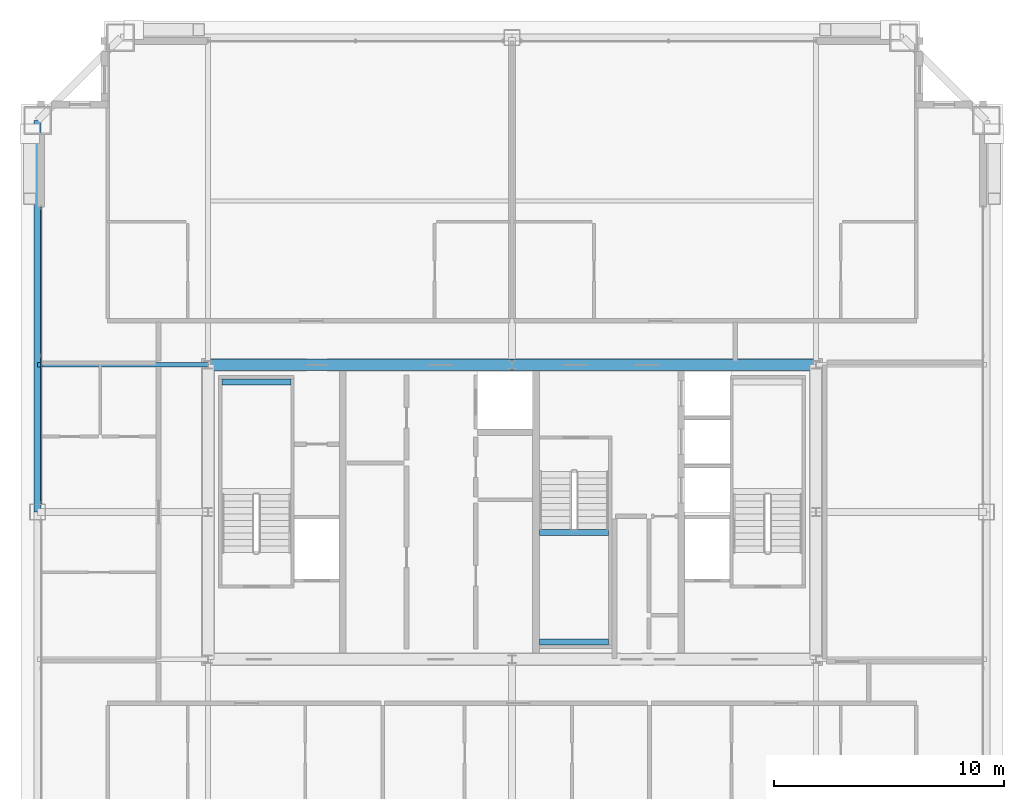
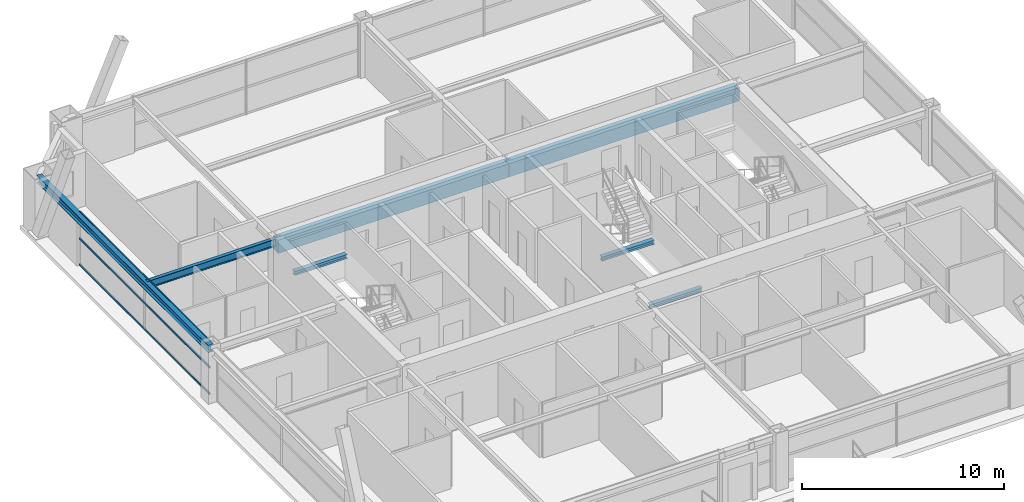
# One storey, part 13 of 35: 7 beams, 3 members, 1 element without a shape of its own.
"""IFC4 building model written with IfcOpenShell, lengths in metres."""

import ifcopenshell
import ifcopenshell.guid

model = None  # the IFC model being written
_history = None  # IfcOwnerHistory: only IFC2X3 demands one
_inside = {}  # id of a spatial element -> (the spatial element, [elements in it])
_under = {}  # id of a project, library or spatial element -> (it, [spatial elements below it])
_declared = {}  # id of a project -> (the project, [libraries it declares])
_typed = {}  # id of a type object -> (the type object, [elements of that type])
_made_of = {}  # id of a material, layer set ... -> (it, [elements and type objects made of it])


def new_model(schema):
    """Start an empty IFC model of exactly this schema.

    Asked for "IFC4X3", IfcOpenShell would pick the latest addendum, in which some entities
    have other attributes; the version numbers below select the first issue.
    IFC2X3 requires an IfcOwnerHistory on every rooted entity: one is made here for all.
    """
    global model, _history
    if schema == "IFC4X3":
        model = ifcopenshell.file(schema_version=(4, 3, 0, 0))
    else:
        model = ifcopenshell.file(schema=schema)
    _inside.clear()
    _under.clear()
    _declared.clear()
    _typed.clear()
    _made_of.clear()
    _history = None
    if model.schema == "IFC2X3":
        org = make("IfcOrganization", Name="unknown")
        user = make(
            "IfcPersonAndOrganization",
            ThePerson=make("IfcPerson", FamilyName="unknown"),
            TheOrganization=org,
        )
        app = make(
            "IfcApplication",
            ApplicationDeveloper=org,
            Version="unknown",
            ApplicationFullName="unknown",
            ApplicationIdentifier="unknown",
        )
        _history = make(
            "IfcOwnerHistory",
            OwningUser=user,
            OwningApplication=app,
            ChangeAction="ADDED",
            CreationDate=0,
        )
    return model


def make(cls, **values):
    """One entity of the class cls with the attributes given. An attribute that is None is left unset."""
    return model.create_entity(
        cls, **{name: value for name, value in values.items() if value is not None}
    )


def rooted(cls, **values):
    """An entity with a GlobalId (a new one), such as an element, a storey or a relation."""
    return make(cls, GlobalId=ifcopenshell.guid.new(), OwnerHistory=_history, **values)


def si_unit(unit_type, name, prefix=None):
    """IfcSIUnit, for example si_unit("LENGTHUNIT", "METRE", prefix="MILLI")."""
    return make("IfcSIUnit", UnitType=unit_type, Prefix=prefix, Name=name)


def assignment(units):
    """IfcUnitAssignment: the units of a project."""
    return None if units is None else make("IfcUnitAssignment", Units=units)


def point(xyz):
    """IfcCartesianPoint."""
    return None if xyz is None else make("IfcCartesianPoint", Coordinates=xyz)


def direction(xyz):
    """IfcDirection."""
    return None if xyz is None else make("IfcDirection", DirectionRatios=xyz)


def frame(location, z_axis=None, x_axis=None):
    """IfcAxis2Placement3D, a coordinate frame: its origin and axes. An axis left out is left unset."""
    return make(
        "IfcAxis2Placement3D",
        Location=point(location),
        Axis=direction(z_axis),
        RefDirection=direction(x_axis),
    )


def frame_2d(location, x_axis=None):
    """IfcAxis2Placement2D, a coordinate frame in the plane: its origin and x axis."""
    return make(
        "IfcAxis2Placement2D", Location=point(location), RefDirection=direction(x_axis)
    )


def origin():
    """The frame at (0, 0, 0) with its axes left unset."""
    return frame((0.0, 0.0, 0.0))


def origin_2d():
    """The frame at (0, 0) in the plane with its x axis left unset."""
    return frame_2d((0.0, 0.0))


def place(relative_to, where):
    """IfcLocalPlacement: puts the frame where relative to a parent placement (None: the world)."""
    return make(
        "IfcLocalPlacement", PlacementRelTo=relative_to, RelativePlacement=where
    )


def context(
    kind, dimensions, precision=None, world=None, true_north=None, identifier=None
):
    """IfcGeometricRepresentationContext, for example the 3D "Model" context."""
    return make(
        "IfcGeometricRepresentationContext",
        ContextIdentifier=identifier,
        ContextType=kind,
        CoordinateSpaceDimension=dimensions,
        Precision=precision,
        WorldCoordinateSystem=world,
        TrueNorth=true_north,
    )


def subcontext(parent, identifier, kind, view, scale=None):
    """IfcGeometricRepresentationSubContext, for example "Body" below "Model"."""
    return make(
        "IfcGeometricRepresentationSubContext",
        ContextIdentifier=identifier,
        ContextType=kind,
        ParentContext=parent,
        TargetScale=scale,
        TargetView=view,
    )


def project(units=None, contexts=None):
    """IfcProject with its units and contexts."""
    return rooted(
        "IfcProject",
        Name="project",
        RepresentationContexts=contexts,
        UnitsInContext=assignment(units),
    )


def spatial(cls, under=None, at=None, **own):
    """A site, building, storey or space (cls), placed at a placement, below another one or the project."""
    s = rooted(cls, ObjectPlacement=at, **own)
    if under is not None:
        _under.setdefault(under.id(), (under, []))[1].append(s)
    return s


def profile(cls, at=None, kind="AREA", **sizes):
    """A parametric profile (cls). Its sizes go by their IFC names, for example OverallWidth=200.0."""
    return make(cls, ProfileType=kind, Position=at, **sizes)


def rectangle(**sizes):
    """IfcRectangleProfileDef."""
    return profile("IfcRectangleProfileDef", **sizes)


def hollow_rectangle(**sizes):
    """IfcRectangleHollowProfileDef."""
    return profile("IfcRectangleHollowProfileDef", **sizes)


def i_section(**sizes):
    """IfcIShapeProfileDef."""
    return profile("IfcIShapeProfileDef", **sizes)


def extrude(swept, where, along, depth):
    """IfcExtrudedAreaSolid: the profile swept, set in the frame where, extruded along a direction by depth."""
    return make(
        "IfcExtrudedAreaSolid",
        SweptArea=swept,
        Position=where,
        ExtrudedDirection=direction(along),
        Depth=depth,
    )


def shape(context_of_items, identifier, shape_type, items):
    """IfcShapeRepresentation: the items that make up one representation, for example the "Body"."""
    return make(
        "IfcShapeRepresentation",
        ContextOfItems=context_of_items,
        RepresentationIdentifier=identifier,
        RepresentationType=shape_type,
        Items=items,
    )


def source(mapping_origin, context_of_items, identifier, shape_type, items):
    """IfcRepresentationMap: a shape defined once, which mapped items show again and again."""
    return make(
        "IfcRepresentationMap",
        MappingOrigin=mapping_origin,
        MappedRepresentation=shape(context_of_items, identifier, shape_type, items),
    )


def transform(
    local_origin,
    x_axis=None,
    y_axis=None,
    z_axis=None,
    scale=None,
    scale2=None,
    scale3=None,
    uniform=True,
):
    """IfcCartesianTransformationOperator3D, or its non-uniform kind. x_axis, y_axis, z_axis: its Axis1, 2, 3."""
    if uniform:
        return make(
            "IfcCartesianTransformationOperator3D",
            Axis1=direction(x_axis),
            Axis2=direction(y_axis),
            LocalOrigin=point(local_origin),
            Scale=scale,
            Axis3=direction(z_axis),
        )
    return make(
        "IfcCartesianTransformationOperator3DnonUniform",
        Axis1=direction(x_axis),
        Axis2=direction(y_axis),
        LocalOrigin=point(local_origin),
        Scale=scale,
        Axis3=direction(z_axis),
        Scale2=scale2,
        Scale3=scale3,
    )


def mapped(mapping_source, mapping_target):
    """IfcMappedItem: shows the shape of a source again, moved by a transform."""
    return make(
        "IfcMappedItem", MappingSource=mapping_source, MappingTarget=mapping_target
    )


def material(Name=None, Category=None):
    """IfcMaterial."""
    return make("IfcMaterial", Name=Name, Category=Category)


def layer(
    of_material, thickness, ventilated=None, Name=None, Category=None, Priority=None
):
    """IfcMaterialLayer: one layer of a wall or slab, of a material (None: an air gap)."""
    return make(
        "IfcMaterialLayer",
        Material=of_material,
        LayerThickness=thickness,
        IsVentilated=ventilated,
        Name=Name,
        Category=Category,
        Priority=Priority,
    )


def layer_set(layers, Name=None):
    """IfcMaterialLayerSet."""
    return make("IfcMaterialLayerSet", MaterialLayers=layers, LayerSetName=Name)


def material_profile(
    of_material, cross_section, Name=None, Category=None, Priority=None
):
    """IfcMaterialProfile: a cross section and its material."""
    return make(
        "IfcMaterialProfile",
        Name=Name,
        Material=of_material,
        Profile=cross_section,
        Priority=Priority,
        Category=Category,
    )


def profile_set(profiles, Name=None, composite=None):
    """IfcMaterialProfileSet."""
    return make(
        "IfcMaterialProfileSet",
        Name=Name,
        MaterialProfiles=profiles,
        CompositeProfile=composite,
    )


def made_of(thing, what):
    """Note that an element or type object is made of a material, layer set ...; save() writes the relation."""
    if what is not None:
        _made_of.setdefault(what.id(), (what, []))[1].append(thing)
    return thing


def type_object(cls, material=None, **own):
    """A type object (cls), such as IfcWallType, which elements share."""
    return made_of(rooted(cls, **own), material)


def element(
    cls,
    number,
    at=None,
    inside=None,
    cuts=None,
    type_object=None,
    material=None,
    context=None,
    identifier="Body",
    shape_type=None,
    held_by="IfcProductDefinitionShape",
    body=None,
    shapes=None,
    **own,
):
    """One element of the class cls, such as IfcWall. Its Tag is "e" and its number.

    at: its placement. inside: the storey or other place that contains it. cuts: it is an
    opening in that element (IfcRelVoidsElement). A single representation is given by context,
    identifier, shape_type and body (its items); several are given by shapes. held_by: the class
    of the entity that holds the representations. save() writes the other relations.
    """
    e = rooted(cls, Tag="e%d" % number, ObjectPlacement=at, **own)
    if body is not None:
        shapes = [shape(context, identifier, shape_type, body)]
    if shapes is not None:
        e.Representation = make(held_by, Representations=shapes)
    if inside is not None:
        _inside.setdefault(inside.id(), (inside, []))[1].append(e)
    if cuts is not None:
        rooted(
            "IfcRelVoidsElement", RelatingBuildingElement=cuts, RelatedOpeningElement=e
        )
    if type_object is not None:
        _typed.setdefault(type_object.id(), (type_object, []))[1].append(e)
    return made_of(e, material)


def aggregate(whole, parts):
    """IfcRelAggregates: a whole, such as a stair, and the parts it consists of."""
    return rooted("IfcRelAggregates", RelatingObject=whole, RelatedObjects=parts)


def save(model, path):
    """Write the relations noted so far, then the file.

    IfcRelAggregates (storeys below a building ...), IfcRelContainedInSpatialStructure (elements
    in a storey), IfcRelDefinesByType, IfcRelAssociatesMaterial and IfcRelDeclares: one each for
    every whole, place, type object, material and project.
    """
    for whole, parts in _under.values():
        aggregate(whole, parts)
    for where, things in _inside.values():
        rooted(
            "IfcRelContainedInSpatialStructure",
            RelatedElements=things,
            RelatingStructure=where,
        )
    for kind, things in _typed.values():
        rooted("IfcRelDefinesByType", RelatedObjects=things, RelatingType=kind)
    for what, things in _made_of.values():
        rooted("IfcRelAssociatesMaterial", RelatedObjects=things, RelatingMaterial=what)
    for by, libraries in _declared.values():
        rooted("IfcRelDeclares", RelatingContext=by, RelatedDefinitions=libraries)
    model.write(path)


model = new_model("IFC4")

# Units and contexts
model_context = context("Model", 3, precision=1e-05, world=origin(), true_north=direction((0.0, 1.0)))
body_context = subcontext(model_context, "Body", "Model", "MODEL_VIEW")
ifc_project = project(units=[si_unit("LENGTHUNIT", "METRE"), si_unit("AREAUNIT", "SQUARE_METRE"), si_unit("VOLUMEUNIT", "CUBIC_METRE"), si_unit("PLANEANGLEUNIT", "RADIAN"), si_unit("MASSUNIT", "GRAM", prefix="KILO"), si_unit("THERMODYNAMICTEMPERATUREUNIT", "KELVIN"), si_unit("POWERUNIT", "WATT")], contexts=[model_context])

# Site, building, storey
site_placement = place(None, origin())
site = spatial("IfcSite", under=ifc_project, at=site_placement, CompositionType="ELEMENT")
building_placement = place(site_placement, origin())
building = spatial("IfcBuilding", under=site, at=building_placement, Name="Yuzanri Waterfront Tower", CompositionType="ELEMENT")
storey_placement = place(building_placement, frame((0.0, 0.0, 271.60009765625)))
storey = spatial("IfcBuildingStorey", under=building, at=storey_placement, Name="L72", CompositionType="ELEMENT", Elevation=271.60009765625)

# Beams
ifc_material_1 = material(Name="Concrete C50", Category="concrete")
ifc_material_profile_1 = material_profile(ifc_material_1, rectangle(XDim=0.5, YDim=0.800048828125, at=origin_2d()), Name="RC 500x800")
ifc_profile_set_1 = profile_set([ifc_material_profile_1], Name="Concrete C50")
beam_type_1 = type_object("IfcBeamType", Name="Core Coupling Lintel Concrete C50 500x800", PredefinedType="LINTEL", material=ifc_profile_set_1)
shared_shape_1 = source(origin(), body_context, "Body", "SweptSolid", [
    extrude(rectangle(XDim=0.5, YDim=0.800048828125, at=origin_2d()), origin(), (0.0, 0.0, 1.0), 13.199951171875),
])
for number, where, z_axis, x_axis, name in (
    (1, (23.800048828125, 32.199951171875, 2.8798828125), (1.0, 0.0, 0.0), (0.0, 1.0, 0.0), "L72 Core Tie Beam CN1"),
    (2, (37.0, 32.199951171875, 2.8798828125), (1.0, 0.0, 0.0), (0.0, 1.0, 0.0), "L72 Core Tie Beam CN2"),
):
    element("IfcBeam", number, at=place(storey_placement, frame(where, z_axis=z_axis, x_axis=x_axis)), inside=storey, type_object=beam_type_1, Name=name, PredefinedType="LINTEL", context=body_context, shape_type="MappedRepresentation", body=[
        mapped(shared_shape_1, transform((0.0, 0.0, 0.0), scale=1.0)),
    ])
ifc_material_2 = material(Name="Steel Q355B", Category="steel")
ifc_material_profile_2 = material_profile(ifc_material_2, i_section(OverallWidth=0.300048828125, OverallDepth=0.43994140625, WebThickness=0.010986328125, FlangeThickness=0.01806640625, at=origin_2d()), Name="HM 440x300x11x18")
ifc_profile_set_2 = profile_set([ifc_material_profile_2], Name="Steel Q355B")
beam_type_2 = type_object("IfcBeamType", Name="Perimeter Spandrel Q355B HM 440x300", PredefinedType="SPANDREL", material=ifc_profile_set_2)
shared_shape_2 = source(origin(), body_context, "Body", "SweptSolid", [
    extrude(i_section(OverallWidth=0.300048828125, OverallDepth=0.43994140625, WebThickness=0.010986328125, FlangeThickness=0.01806640625, at=origin_2d()), origin(), (0.0, 0.0, 1.0), 17.0),
])
beam_1_placement = place(storey_placement, frame((16.39990234375, 42.800048828125, 3.059814453125), z_axis=(0.0, -1.0, 0.0), x_axis=(1.0, 0.0, 0.0)))
element("IfcBeam", 3, at=beam_1_placement, inside=storey, type_object=beam_type_2, Name="L72 Perimeter Spandrel W3-W2", PredefinedType="SPANDREL", context=body_context, shape_type="MappedRepresentation", body=[
    mapped(shared_shape_2, transform((0.0, 0.0, 0.0), scale=1.0)),
])
ifc_material_3 = material(Name="Steel Q355B", Category="steel")
ifc_material_profile_3 = material_profile(ifc_material_3, i_section(OverallWidth=0.199951171875, OverallDepth=0.449951171875, WebThickness=0.009033203125, FlangeThickness=0.013916015625, at=origin_2d()), Name="HN 450x200x9x14")
ifc_profile_set_3 = profile_set([ifc_material_profile_3], Name="Steel Q355B")
beam_type_3 = type_object("IfcBeamType", Name="Secondary Floor Beam Q355B HN 450x200", PredefinedType="BEAM", material=ifc_profile_set_3)
shared_shape_3 = source(origin(), body_context, "Body", "SweptSolid", [
    extrude(i_section(OverallWidth=0.199951171875, OverallDepth=0.449951171875, WebThickness=0.009033203125, FlangeThickness=0.013916015625, at=origin_2d()), origin(), (0.0, 0.0, 1.0), 7.400146484375),
])
beam_2_placement = place(storey_placement, frame((23.800048828125, 32.199951171875, 3.054931640625), z_axis=(-1.0, 0.0, 0.0), x_axis=(0.0, -1.0, 0.0)))
element("IfcBeam", 4, at=beam_2_placement, inside=storey, type_object=beam_type_3, Name="L72 West-North Core Line Beam", PredefinedType="BEAM", context=body_context, shape_type="MappedRepresentation", body=[
    mapped(shared_shape_3, transform((0.0, 0.0, 0.0), scale=1.0)),
])

# Curtain wall, members
ifc_material_4 = material(Name="Anodized Architectural Bronze", Category="metal")
ifc_layer = layer(ifc_material_4, 0.159912109375)
ifc_layer_set = layer_set([ifc_layer], Name="Anodized Architectural Bronze")
curtain_wall_type = type_object("IfcCurtainWallType", Name="Anodized Bronze Mid-Rise Residential Acoustic Unitized Curtain Wall 7200", PredefinedType="NOTDEFINED", material=ifc_layer_set)
curtain_wall_placement = place(storey_placement, origin())
curtain_wall = element("IfcCurtainWall", 5, at=curtain_wall_placement, inside=storey, type_object=curtain_wall_type, Name="L72 Curtain Wall CW-L72-WR", PredefinedType="NOTDEFINED")
ifc_material_5 = material(Name="Anodized Architectural Bronze", Category="metal")
ifc_material_profile_4 = material_profile(ifc_material_5, hollow_rectangle(XDim=0.06494140625, YDim=0.1201171875, WallThickness=0.00341796875, at=origin_2d()), Name="CWT 65x120")
ifc_profile_set_4 = profile_set([ifc_material_profile_4], Name="Anodized Architectural Bronze")
member_type = type_object("IfcMemberType", Name="Anodized Bronze Secondary Curtain-Wall Transom 65x120", PredefinedType="USERDEFINED", material=ifc_profile_set_4)
shared_shape_4 = source(origin(), body_context, "Body", "SweptSolid", [
    extrude(hollow_rectangle(XDim=0.06494140625, YDim=0.1201171875, WallThickness=0.00341796875, at=origin_2d()), origin(), (0.0, 0.0, 1.0), 12.900146484375),
])
member_1_placement = place(storey_placement, frame((16.550048828125, 26.14990234375, 0.0498046875), z_axis=(0.0, 1.0, 0.0), x_axis=(-1.0, 0.0, 0.0)))
member_1 = element("IfcMember", 6, at=member_1_placement, type_object=member_type, Name="CW-L72-WR Transom 1", ObjectType="TRANSOM", PredefinedType="USERDEFINED", context=body_context, shape_type="MappedRepresentation", body=[
    mapped(shared_shape_4, transform((0.0, 0.0, 0.0), scale=1.0)),
])
member_2_placement = place(storey_placement, frame((16.550048828125, 26.14990234375, 1.639892578125), z_axis=(0.0, 1.0, 0.0), x_axis=(-1.0, 0.0, 0.0)))
member_2 = element("IfcMember", 7, at=member_2_placement, type_object=member_type, Name="CW-L72-WR Transom 2", ObjectType="TRANSOM", PredefinedType="USERDEFINED", context=body_context, shape_type="MappedRepresentation", body=[
    mapped(shared_shape_4, transform((0.0, 0.0, 0.0), scale=1.0)),
])
member_3_placement = place(storey_placement, frame((16.550048828125, 26.14990234375, 3.22998046875), z_axis=(0.0, 1.0, 0.0), x_axis=(-1.0, 0.0, 0.0)))
member_3 = element("IfcMember", 8, at=member_3_placement, type_object=member_type, Name="CW-L72-WR Transom 3", ObjectType="TRANSOM", PredefinedType="USERDEFINED", context=body_context, shape_type="MappedRepresentation", body=[
    mapped(shared_shape_4, transform((0.0, 0.0, 0.0), scale=1.0)),
])
aggregate(curtain_wall, [member_1, member_2, member_3])

# Beams
ifc_material_6 = material(Name="Steel Q355B", Category="steel")
ifc_material_profile_5 = material_profile(ifc_material_6, i_section(OverallWidth=0.25, OverallDepth=0.25, WebThickness=0.009033203125, FlangeThickness=0.013916015625, at=origin_2d()), Name="HW 250x250x9x14")
ifc_profile_set_5 = profile_set([ifc_material_profile_5], Name="Steel Q355B")
beam_type_4 = type_object("IfcBeamType", Name="Stair Landing Support Beam Q355B HW 250x250", PredefinedType="BEAM", material=ifc_profile_set_5)
shared_shape_5 = source(origin(), body_context, "Body", "SweptSolid", [
    extrude(i_section(OverallWidth=0.25, OverallDepth=0.25, WebThickness=0.009033203125, FlangeThickness=0.013916015625, at=origin_2d()), origin(), (0.0, 0.0, 1.0), 3.0),
])
for number, where, z_axis, x_axis, name in (
    (9, (24.39990234375, 31.449951171875, 1.4248046875), (1.0, 0.0, 0.0), (0.0, 1.0, 0.0), "L72 Stair Landing Support Beam ST-01-L72-L1-2"),
    (10, (38.199951171875, 20.14990234375, 1.4248046875), (1.0, 0.0, 0.0), (0.0, 1.0, 0.0), "L72 Stair Landing Support Beam ST-03-L72-L1-1"),
    (11, (38.199951171875, 24.909912109375, 1.4248046875), (1.0, 0.0, 0.0), (0.0, 1.0, 0.0), "L72 Stair Landing Support Beam ST-03-L72-L1-2"),
):
    element("IfcBeam", number, at=place(storey_placement, frame(where, z_axis=z_axis, x_axis=x_axis)), inside=storey, type_object=beam_type_4, Name=name, PredefinedType="BEAM", context=body_context, shape_type="MappedRepresentation", body=[
        mapped(shared_shape_5, transform((0.0, 0.0, 0.0), scale=1.0)),
    ])

save(model, "model.ifc")
